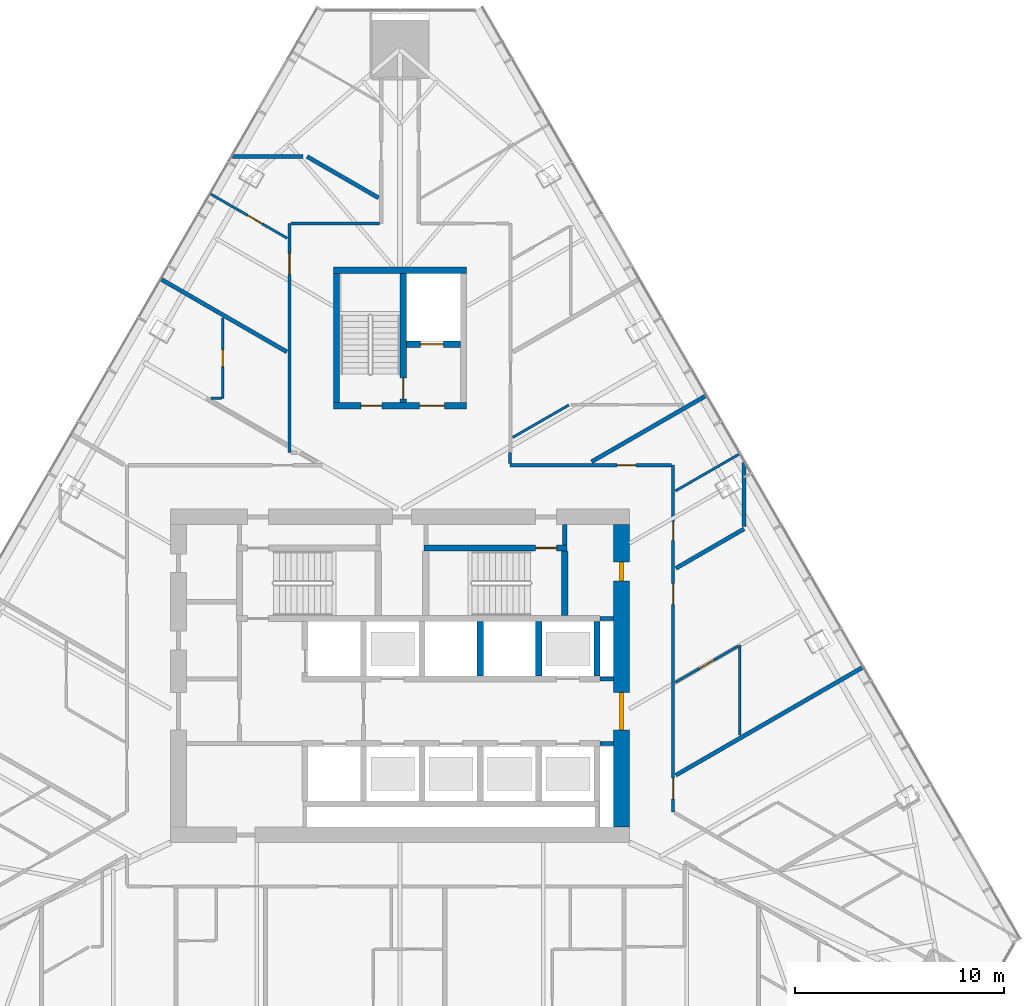
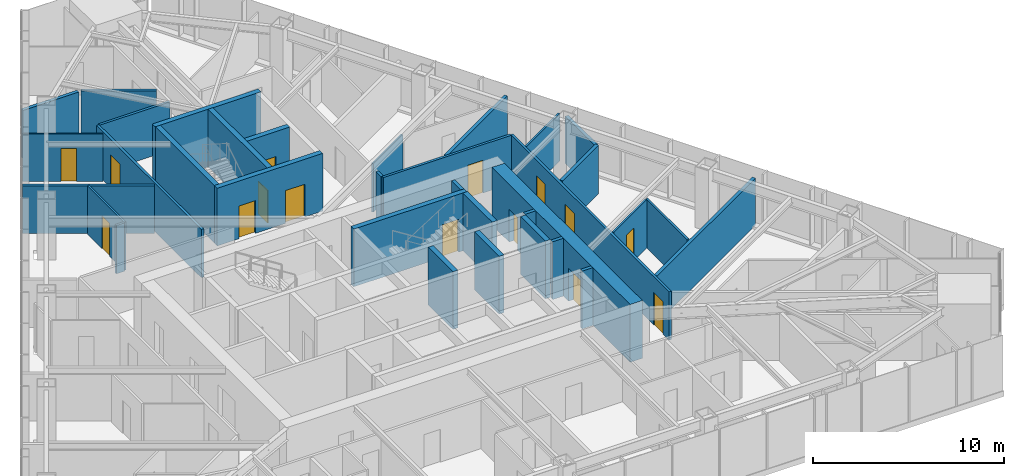
# One storey, part 13 of 16: 34 walls, 15 doors, 15 openings.
"""IFC4 building model written with IfcOpenShell, lengths in metres."""

import ifcopenshell
import ifcopenshell.guid

model = None  # the IFC model being written
_history = None  # IfcOwnerHistory: only IFC2X3 demands one
_inside = {}  # id of a spatial element -> (the spatial element, [elements in it])
_under = {}  # id of a project, library or spatial element -> (it, [spatial elements below it])
_declared = {}  # id of a project -> (the project, [libraries it declares])
_typed = {}  # id of a type object -> (the type object, [elements of that type])
_made_of = {}  # id of a material, layer set ... -> (it, [elements and type objects made of it])


def new_model(schema):
    """Start an empty IFC model of exactly this schema.

    Asked for "IFC4X3", IfcOpenShell would pick the latest addendum, in which some entities
    have other attributes; the version numbers below select the first issue.
    IFC2X3 requires an IfcOwnerHistory on every rooted entity: one is made here for all.
    """
    global model, _history
    if schema == "IFC4X3":
        model = ifcopenshell.file(schema_version=(4, 3, 0, 0))
    else:
        model = ifcopenshell.file(schema=schema)
    _inside.clear()
    _under.clear()
    _declared.clear()
    _typed.clear()
    _made_of.clear()
    _history = None
    if model.schema == "IFC2X3":
        org = make("IfcOrganization", Name="unknown")
        user = make(
            "IfcPersonAndOrganization",
            ThePerson=make("IfcPerson", FamilyName="unknown"),
            TheOrganization=org,
        )
        app = make(
            "IfcApplication",
            ApplicationDeveloper=org,
            Version="unknown",
            ApplicationFullName="unknown",
            ApplicationIdentifier="unknown",
        )
        _history = make(
            "IfcOwnerHistory",
            OwningUser=user,
            OwningApplication=app,
            ChangeAction="ADDED",
            CreationDate=0,
        )
    return model


def make(cls, **values):
    """One entity of the class cls with the attributes given. An attribute that is None is left unset."""
    return model.create_entity(
        cls, **{name: value for name, value in values.items() if value is not None}
    )


def rooted(cls, **values):
    """An entity with a GlobalId (a new one), such as an element, a storey or a relation."""
    return make(cls, GlobalId=ifcopenshell.guid.new(), OwnerHistory=_history, **values)


def si_unit(unit_type, name, prefix=None):
    """IfcSIUnit, for example si_unit("LENGTHUNIT", "METRE", prefix="MILLI")."""
    return make("IfcSIUnit", UnitType=unit_type, Prefix=prefix, Name=name)


def assignment(units):
    """IfcUnitAssignment: the units of a project."""
    return None if units is None else make("IfcUnitAssignment", Units=units)


def point(xyz):
    """IfcCartesianPoint."""
    return None if xyz is None else make("IfcCartesianPoint", Coordinates=xyz)


def direction(xyz):
    """IfcDirection."""
    return None if xyz is None else make("IfcDirection", DirectionRatios=xyz)


def frame(location, z_axis=None, x_axis=None):
    """IfcAxis2Placement3D, a coordinate frame: its origin and axes. An axis left out is left unset."""
    return make(
        "IfcAxis2Placement3D",
        Location=point(location),
        Axis=direction(z_axis),
        RefDirection=direction(x_axis),
    )


def frame_2d(location, x_axis=None):
    """IfcAxis2Placement2D, a coordinate frame in the plane: its origin and x axis."""
    return make(
        "IfcAxis2Placement2D", Location=point(location), RefDirection=direction(x_axis)
    )


def origin():
    """The frame at (0, 0, 0) with its axes left unset."""
    return frame((0.0, 0.0, 0.0))


def place(relative_to, where):
    """IfcLocalPlacement: puts the frame where relative to a parent placement (None: the world)."""
    return make(
        "IfcLocalPlacement", PlacementRelTo=relative_to, RelativePlacement=where
    )


def context(
    kind, dimensions, precision=None, world=None, true_north=None, identifier=None
):
    """IfcGeometricRepresentationContext, for example the 3D "Model" context."""
    return make(
        "IfcGeometricRepresentationContext",
        ContextIdentifier=identifier,
        ContextType=kind,
        CoordinateSpaceDimension=dimensions,
        Precision=precision,
        WorldCoordinateSystem=world,
        TrueNorth=true_north,
    )


def subcontext(parent, identifier, kind, view, scale=None):
    """IfcGeometricRepresentationSubContext, for example "Body" below "Model"."""
    return make(
        "IfcGeometricRepresentationSubContext",
        ContextIdentifier=identifier,
        ContextType=kind,
        ParentContext=parent,
        TargetScale=scale,
        TargetView=view,
    )


def project(units=None, contexts=None):
    """IfcProject with its units and contexts."""
    return rooted(
        "IfcProject",
        Name="project",
        RepresentationContexts=contexts,
        UnitsInContext=assignment(units),
    )


def spatial(cls, under=None, at=None, **own):
    """A site, building, storey or space (cls), placed at a placement, below another one or the project."""
    s = rooted(cls, ObjectPlacement=at, **own)
    if under is not None:
        _under.setdefault(under.id(), (under, []))[1].append(s)
    return s


def profile(cls, at=None, kind="AREA", **sizes):
    """A parametric profile (cls). Its sizes go by their IFC names, for example OverallWidth=200.0."""
    return make(cls, ProfileType=kind, Position=at, **sizes)


def rectangle(**sizes):
    """IfcRectangleProfileDef."""
    return profile("IfcRectangleProfileDef", **sizes)


def extrude(swept, where, along, depth):
    """IfcExtrudedAreaSolid: the profile swept, set in the frame where, extruded along a direction by depth."""
    return make(
        "IfcExtrudedAreaSolid",
        SweptArea=swept,
        Position=where,
        ExtrudedDirection=direction(along),
        Depth=depth,
    )


def shape(context_of_items, identifier, shape_type, items):
    """IfcShapeRepresentation: the items that make up one representation, for example the "Body"."""
    return make(
        "IfcShapeRepresentation",
        ContextOfItems=context_of_items,
        RepresentationIdentifier=identifier,
        RepresentationType=shape_type,
        Items=items,
    )


def material(Name=None, Category=None):
    """IfcMaterial."""
    return make("IfcMaterial", Name=Name, Category=Category)


def layer(
    of_material, thickness, ventilated=None, Name=None, Category=None, Priority=None
):
    """IfcMaterialLayer: one layer of a wall or slab, of a material (None: an air gap)."""
    return make(
        "IfcMaterialLayer",
        Material=of_material,
        LayerThickness=thickness,
        IsVentilated=ventilated,
        Name=Name,
        Category=Category,
        Priority=Priority,
    )


def layer_set(layers, Name=None):
    """IfcMaterialLayerSet."""
    return make("IfcMaterialLayerSet", MaterialLayers=layers, LayerSetName=Name)


def made_of(thing, what):
    """Note that an element or type object is made of a material, layer set ...; save() writes the relation."""
    if what is not None:
        _made_of.setdefault(what.id(), (what, []))[1].append(thing)
    return thing


def type_object(cls, material=None, **own):
    """A type object (cls), such as IfcWallType, which elements share."""
    return made_of(rooted(cls, **own), material)


def element(
    cls,
    number,
    at=None,
    inside=None,
    cuts=None,
    type_object=None,
    material=None,
    context=None,
    identifier="Body",
    shape_type=None,
    held_by="IfcProductDefinitionShape",
    body=None,
    shapes=None,
    **own,
):
    """One element of the class cls, such as IfcWall. Its Tag is "e" and its number.

    at: its placement. inside: the storey or other place that contains it. cuts: it is an
    opening in that element (IfcRelVoidsElement). A single representation is given by context,
    identifier, shape_type and body (its items); several are given by shapes. held_by: the class
    of the entity that holds the representations. save() writes the other relations.
    """
    e = rooted(cls, Tag="e%d" % number, ObjectPlacement=at, **own)
    if body is not None:
        shapes = [shape(context, identifier, shape_type, body)]
    if shapes is not None:
        e.Representation = make(held_by, Representations=shapes)
    if inside is not None:
        _inside.setdefault(inside.id(), (inside, []))[1].append(e)
    if cuts is not None:
        rooted(
            "IfcRelVoidsElement", RelatingBuildingElement=cuts, RelatedOpeningElement=e
        )
    if type_object is not None:
        _typed.setdefault(type_object.id(), (type_object, []))[1].append(e)
    return made_of(e, material)


def fill(opening, filler):
    """IfcRelFillsElement: the door or window that sits in an opening."""
    return rooted(
        "IfcRelFillsElement",
        RelatingOpeningElement=opening,
        RelatedBuildingElement=filler,
    )


def aggregate(whole, parts):
    """IfcRelAggregates: a whole, such as a stair, and the parts it consists of."""
    return rooted("IfcRelAggregates", RelatingObject=whole, RelatedObjects=parts)


def save(model, path):
    """Write the relations noted so far, then the file.

    IfcRelAggregates (storeys below a building ...), IfcRelContainedInSpatialStructure (elements
    in a storey), IfcRelDefinesByType, IfcRelAssociatesMaterial and IfcRelDeclares: one each for
    every whole, place, type object, material and project.
    """
    for whole, parts in _under.values():
        aggregate(whole, parts)
    for where, things in _inside.values():
        rooted(
            "IfcRelContainedInSpatialStructure",
            RelatedElements=things,
            RelatingStructure=where,
        )
    for kind, things in _typed.values():
        rooted("IfcRelDefinesByType", RelatedObjects=things, RelatingType=kind)
    for what, things in _made_of.values():
        rooted("IfcRelAssociatesMaterial", RelatedObjects=things, RelatingMaterial=what)
    for by, libraries in _declared.values():
        rooted("IfcRelDeclares", RelatingContext=by, RelatedDefinitions=libraries)
    model.write(path)


model = new_model("IFC4")

# Units and contexts
model_context = context("Model", 3, precision=1e-05, world=origin(), true_north=direction((0.0, 1.0)))
body_context = subcontext(model_context, "Body", "Model", "MODEL_VIEW")
ifc_project = project(units=[si_unit("LENGTHUNIT", "METRE"), si_unit("AREAUNIT", "SQUARE_METRE"), si_unit("VOLUMEUNIT", "CUBIC_METRE"), si_unit("PLANEANGLEUNIT", "RADIAN"), si_unit("MASSUNIT", "GRAM", prefix="KILO")], contexts=[model_context])

# Site, building, storey
site_placement = place(None, origin())
site = spatial("IfcSite", under=ifc_project, at=site_placement, CompositionType="ELEMENT")
building_placement = place(site_placement, origin())
building = spatial("IfcBuilding", under=site, at=building_placement, Name="Firuza Gate Tower and Library", CompositionType="ELEMENT")
storey_placement = place(building_placement, frame((0.0, 0.0, 198.699951171875)))
storey = spatial("IfcBuildingStorey", under=building, at=storey_placement, Name="L46", CompositionType="ELEMENT", Elevation=198.699951171875)

# Walls
ifc_material_1 = material(Name="Plasterboard on steel studs", Category="steel")
ifc_layer_1 = layer(ifc_material_1, 0.199951171875)
ifc_layer_set_1 = layer_set([ifc_layer_1], Name="Core partition 200 EI 120")
wall_type_1 = type_object("IfcWallType", Name="Core partition 200 EI 120", PredefinedType="PARTITIONING", material=ifc_layer_set_1)
for number, where, z_axis, x_axis, name in (
    (1, (84.60009765625, 71.75, 0.0), (0.0, 0.0, 1.0), (1.0, 0.0, 0.0), "Core partition L46 2"),
    (2, (84.60009765625, 74.85009765625, 0.0), (0.0, 0.0, 1.0), (1.0, 0.0, 0.0), "Core partition L46 4"),
    (3, (84.60009765625, 77.75, 0.0), (0.0, 0.0, 1.0), (1.0, 0.0, 0.0), "Core partition L46 5"),
):
    element("IfcWall", number, at=place(storey_placement, frame(where, z_axis=z_axis, x_axis=x_axis)), inside=storey, type_object=wall_type_1, Name=name, PredefinedType="PARTITIONING", context=body_context, shape_type="SweptSolid", body=[
        extrude(rectangle(XDim=0.64990234375, YDim=0.199951171875, at=frame_2d((0.324951171875, 0.0))), origin(), (0.0, 0.0, 1.0), 3.699951171875),
    ])
ifc_material_2 = material(Name="Plasterboard on steel studs", Category="steel")
ifc_layer_2 = layer(ifc_material_2, 0.199951171875)
ifc_layer_set_2 = layer_set([ifc_layer_2], Name="Core partition 200 EI 60")
wall_type_2 = type_object("IfcWallType", Name="Core partition 200 EI 60", PredefinedType="PARTITIONING", material=ifc_layer_set_2)
wall_1_placement = place(storey_placement, frame((82.89990234375, 81.280029296875, 0.0), z_axis=(0.0, 0.0, 1.0), x_axis=(0.0, 1.0, 0.0)))
element("IfcWall", 4, at=wall_1_placement, inside=storey, type_object=wall_type_2, Name="Core partition L46 13", PredefinedType="PARTITIONING", context=body_context, shape_type="SweptSolid", body=[
    extrude(rectangle(XDim=0.969970703125, YDim=0.199951171875, at=frame_2d((0.48486328125, 0.0))), origin(), (0.0, 0.0, 1.0), 3.699951171875),
])
ifc_material_3 = material(Name="Concrete C80/95", Category="concrete")
ifc_layer_3 = layer(ifc_material_3, 0.300048828125)
ifc_layer_set_3 = layer_set([ifc_layer_3], Name="Core wall 300 C80/95")
wall_type_3 = type_object("IfcWallType", Name="Core wall 300 C80/95", PredefinedType="SHEAR", material=ifc_layer_set_3)
for number, where, z_axis, x_axis, name in (
    (5, (78.85009765625, 75.0, 0.0), (0.0, 0.0, 1.0), (0.0, 1.0, 0.0), "Core wall L46 15"),
    (6, (81.64990234375, 75.0, 0.0), (0.0, 0.0, 1.0), (0.0, 1.0, 0.0), "Core wall L46 17"),
    (7, (84.449951171875, 75.0, 0.0), (0.0, 0.0, 1.0), (0.0, 1.0, 0.0), "Core wall L46 19"),
):
    element("IfcWall", number, at=place(storey_placement, frame(where, z_axis=z_axis, x_axis=x_axis)), inside=storey, type_object=wall_type_3, Name=name, PredefinedType="SHEAR", context=body_context, shape_type="SweptSolid", body=[
        extrude(rectangle(XDim=2.60009765625, YDim=0.300048828125, at=frame_2d((1.300048828125, 0.0))), origin(), (0.0, 0.0, 1.0), 3.699951171875),
    ])

# Wall, opening, door
wall_2_placement = place(storey_placement, frame((76.139892578125, 81.1298828125, 0.0), z_axis=(0.0, 0.0, 1.0), x_axis=(1.0, 0.0, 0.0)))
wall_2 = element("IfcWall", 8, at=wall_2_placement, inside=storey, type_object=wall_type_3, Name="Core wall L46 22", PredefinedType="SHEAR", context=body_context, shape_type="SweptSolid", body=[
    extrude(rectangle(XDim=6.860107421875, YDim=0.300048828125, at=frame_2d((3.43017578125, 0.0))), origin(), (0.0, 0.0, 1.0), 3.699951171875),
])
opening_1_placement = place(wall_2_placement, frame((5.364990234375, 0.0, 0.0)))
opening_1 = element("IfcOpeningElement", 9, at=opening_1_placement, cuts=wall_2, Name="Opening L46-K13", PredefinedType="OPENING", context=body_context, shape_type="SweptSolid", body=[
    extrude(rectangle(XDim=1.0, YDim=2.10009765625, at=frame_2d((0.5, 1.050048828125))), frame((0.0, 0.16015625, 0.0), z_axis=(0.0, -1.0, 0.0), x_axis=(1.0, 0.0, 0.0)), (0.0, 0.0, 1.0), 0.320068359375),
])
ifc_material_4 = material(Name="Steel", Category="steel")
door_type_1 = type_object("IfcDoorType", Name="Fire door 1000x2100 FD90", OperationType="NOTDEFINED", PredefinedType="DOOR", material=ifc_material_4)
door_1_placement = place(opening_1_placement, origin())
door_1 = element("IfcDoor", 10, at=door_1_placement, inside=storey, type_object=door_type_1, Name="Door L46-K13", OperationType="SINGLE_SWING_RIGHT", OverallHeight=2.10009765625, OverallWidth=1.0, PredefinedType="DOOR", context=body_context, shape_type="SweptSolid", body=[
    extrude(rectangle(XDim=1.0, YDim=2.10009765625, at=frame_2d((0.5, 1.050048828125))), frame((0.0, 0.02490234375, 0.0), z_axis=(0.0, -1.0, 0.0), x_axis=(1.0, 0.0, 0.0)), (0.0, 0.0, 1.0), 0.050048828125),
])
fill(opening_1, door_1)

# Wall
wall_3_placement = place(storey_placement, frame((82.89990234375, 77.89990234375, 0.0), z_axis=(0.0, 0.0, 1.0), x_axis=(0.0, 1.0, 0.0)))
element("IfcWall", 11, at=wall_3_placement, inside=storey, type_object=wall_type_3, Name="Core wall L46 26", PredefinedType="SHEAR", context=body_context, shape_type="SweptSolid", body=[
    extrude(rectangle(XDim=3.080078125, YDim=0.300048828125, at=frame_2d((1.5400390625, 0.0))), origin(), (0.0, 0.0, 1.0), 3.699951171875),
])

# Wall, openings, doors
wall_4_placement = place(storey_placement, frame((71.800048828125, 87.949951171875, 0.0), z_axis=(0.0, 0.0, 1.0), x_axis=(1.0, 0.0, 0.0)))
wall_4 = element("IfcWall", 12, at=wall_4_placement, inside=storey, type_object=wall_type_3, Name="Core wall L46 27", PredefinedType="SHEAR", context=body_context, shape_type="SweptSolid", body=[
    extrude(rectangle(XDim=6.39990234375, YDim=0.300048828125, at=frame_2d((3.199951171875, 0.0))), origin(), (0.0, 0.0, 1.0), 3.699951171875),
])
opening_2_placement = place(wall_4_placement, frame((1.324951171875, 0.0, 0.0)))
opening_2 = element("IfcOpeningElement", 13, at=opening_2_placement, cuts=wall_4, Name="Opening L46-K15", PredefinedType="OPENING", context=body_context, shape_type="SweptSolid", body=[
    extrude(rectangle(XDim=1.0, YDim=2.10009765625, at=frame_2d((0.5, 1.050048828125))), frame((0.0, 0.16015625, 0.0), z_axis=(0.0, -1.0, 0.0), x_axis=(1.0, 0.0, 0.0)), (0.0, 0.0, 1.0), 0.320068359375),
])
opening_3_placement = place(wall_4_placement, frame((4.125, 0.0, 0.0)))
opening_3 = element("IfcOpeningElement", 14, at=opening_3_placement, cuts=wall_4, Name="Opening L46-K17", PredefinedType="OPENING", context=body_context, shape_type="SweptSolid", body=[
    extrude(rectangle(XDim=1.199951171875, YDim=2.10009765625, at=frame_2d((0.60009765625, 1.050048828125))), frame((0.0, 0.16015625, 0.0), z_axis=(0.0, -1.0, 0.0), x_axis=(1.0, 0.0, 0.0)), (0.0, 0.0, 1.0), 0.320068359375),
])
door_2_placement = place(opening_2_placement, origin())
door_2 = element("IfcDoor", 15, at=door_2_placement, inside=storey, type_object=door_type_1, Name="Door L46-K15", OperationType="SINGLE_SWING_RIGHT", OverallHeight=2.10009765625, OverallWidth=1.0, PredefinedType="DOOR", context=body_context, shape_type="SweptSolid", body=[
    extrude(rectangle(XDim=1.0, YDim=2.10009765625, at=frame_2d((0.5, 1.050048828125))), frame((0.0, 0.02490234375, 0.0), z_axis=(0.0, -1.0, 0.0), x_axis=(1.0, 0.0, 0.0)), (0.0, 0.0, 1.0), 0.050048828125),
])
fill(opening_2, door_2)
ifc_material_5 = material(Name="Steel", Category="steel")
door_type_2 = type_object("IfcDoorType", Name="Fire door 1200x2100 FD30S", OperationType="NOTDEFINED", PredefinedType="DOOR", material=ifc_material_5)
door_3_placement = place(opening_3_placement, origin())
door_3 = element("IfcDoor", 16, at=door_3_placement, inside=storey, type_object=door_type_2, Name="Door L46-K17", OperationType="SINGLE_SWING_RIGHT", OverallHeight=2.10009765625, OverallWidth=1.199951171875, PredefinedType="DOOR", context=body_context, shape_type="SweptSolid", body=[
    extrude(rectangle(XDim=1.199951171875, YDim=2.10009765625, at=frame_2d((0.60009765625, 1.050048828125))), frame((0.0, 0.02490234375, 0.0), z_axis=(0.0, -1.0, 0.0), x_axis=(1.0, 0.0, 0.0)), (0.0, 0.0, 1.0), 0.050048828125),
])
fill(opening_3, door_3)

# Walls
wall_5_placement = place(storey_placement, frame((71.800048828125, 94.449951171875, 0.0), z_axis=(0.0, 0.0, 1.0), x_axis=(1.0, 0.0, 0.0)))
element("IfcWall", 17, at=wall_5_placement, inside=storey, type_object=wall_type_3, Name="Core wall L46 28", PredefinedType="SHEAR", context=body_context, shape_type="SweptSolid", body=[
    extrude(rectangle(XDim=6.39990234375, YDim=0.300048828125, at=frame_2d((3.199951171875, 0.0))), origin(), (0.0, 0.0, 1.0), 3.699951171875),
])
wall_6_placement = place(storey_placement, frame((71.949951171875, 88.10009765625, 0.0), z_axis=(0.0, 0.0, 1.0), x_axis=(0.0, 1.0, 0.0)))
element("IfcWall", 18, at=wall_6_placement, inside=storey, type_object=wall_type_3, Name="Core wall L46 29", PredefinedType="SHEAR", context=body_context, shape_type="SweptSolid", body=[
    extrude(rectangle(XDim=6.199951171875, YDim=0.300048828125, at=frame_2d((3.10009765625, 0.0))), origin(), (0.0, 0.0, 1.0), 3.699951171875),
])

# Wall, opening, door
wall_7_placement = place(storey_placement, frame((75.300048828125, 90.89990234375, 0.0), z_axis=(0.0, 0.0, 1.0), x_axis=(1.0, 0.0, 0.0)))
wall_7 = element("IfcWall", 19, at=wall_7_placement, inside=storey, type_object=wall_type_3, Name="Core wall L46 31", PredefinedType="SHEAR", context=body_context, shape_type="SweptSolid", body=[
    extrude(rectangle(XDim=2.599853515625, YDim=0.300048828125, at=frame_2d((1.2998046875, 0.0))), origin(), (0.0, 0.0, 1.0), 3.699951171875),
])
opening_4_placement = place(wall_7_placement, frame((0.675048828125, 0.0, 0.0)))
opening_4 = element("IfcOpeningElement", 20, at=opening_4_placement, cuts=wall_7, Name="Opening LD-SV1-L46", PredefinedType="OPENING", context=body_context, shape_type="SweptSolid", body=[
    extrude(rectangle(XDim=1.10009765625, YDim=2.10009765625, at=frame_2d((0.550048828125, 1.050048828125))), frame((0.0, 0.16015625, 0.0), z_axis=(0.0, -1.0, 0.0), x_axis=(1.0, 0.0, 0.0)), (0.0, 0.0, 1.0), 0.320068359375),
])
ifc_material_6 = material(Name="Stainless steel", Category="steel")
door_type_3 = type_object("IfcDoorType", Name="Lift landing door 1100x2100", OperationType="DOUBLE_DOOR_SLIDING", PredefinedType="DOOR", material=ifc_material_6)
door_4_placement = place(opening_4_placement, origin())
door_4 = element("IfcDoor", 21, at=door_4_placement, inside=storey, type_object=door_type_3, Name="Landing door SV1 L46", OperationType="DOUBLE_DOOR_SLIDING", OverallHeight=2.10009765625, OverallWidth=1.10009765625, PredefinedType="DOOR", context=body_context, shape_type="SweptSolid", body=[
    extrude(rectangle(XDim=1.10009765625, YDim=2.10009765625, at=frame_2d((0.550048828125, 1.050048828125))), frame((0.0, 0.02490234375, 0.0), z_axis=(0.0, -1.0, 0.0), x_axis=(1.0, 0.0, 0.0)), (0.0, 0.0, 1.0), 0.050048828125),
])
fill(opening_4, door_4)

wall_8_placement = place(storey_placement, frame((75.14990234375, 88.10009765625, 0.0), z_axis=(0.0, 0.0, 1.0), x_axis=(0.0, 1.0, 0.0)))
wall_8 = element("IfcWall", 22, at=wall_8_placement, inside=storey, type_object=wall_type_3, Name="Core wall L46 32", PredefinedType="SHEAR", context=body_context, shape_type="SweptSolid", body=[
    extrude(rectangle(XDim=6.199951171875, YDim=0.300048828125, at=frame_2d((3.10009765625, 0.0))), origin(), (0.0, 0.0, 1.0), 3.699951171875),
])
opening_5_placement = place(wall_8_placement, frame((0.18505859375, 0.0, 0.0)))
opening_5 = element("IfcOpeningElement", 23, at=opening_5_placement, cuts=wall_8, Name="Opening L46-K16", PredefinedType="OPENING", context=body_context, shape_type="SweptSolid", body=[
    extrude(rectangle(XDim=1.0, YDim=2.10009765625, at=frame_2d((0.5, 1.050048828125))), frame((0.0, 0.16015625, 0.0), z_axis=(0.0, -1.0, 0.0), x_axis=(1.0, 0.0, 0.0)), (0.0, 0.0, 1.0), 0.320068359375),
])
door_5_placement = place(opening_5_placement, origin())
door_5 = element("IfcDoor", 24, at=door_5_placement, inside=storey, type_object=door_type_1, Name="Door L46-K16", OperationType="SINGLE_SWING_LEFT", OverallHeight=2.10009765625, OverallWidth=1.0, PredefinedType="DOOR", context=body_context, shape_type="SweptSolid", body=[
    extrude(rectangle(XDim=1.0, YDim=2.10009765625, at=frame_2d((0.5, 1.050048828125))), frame((0.0, 0.02490234375, 0.0), z_axis=(0.0, -1.0, 0.0), x_axis=(1.0, 0.0, 0.0)), (0.0, 0.0, 1.0), 0.050048828125),
])
fill(opening_5, door_5)

# Wall, openings, doors
ifc_material_7 = material(Name="Concrete C80/95", Category="concrete")
ifc_layer_4 = layer(ifc_material_7, 0.75)
ifc_layer_set_4 = layer_set([ifc_layer_4], Name="Core wall 750 C80/95")
wall_type_4 = type_object("IfcWallType", Name="Core wall 750 C80/95", PredefinedType="SHEAR", material=ifc_layer_set_4)
wall_9_placement = place(storey_placement, frame((85.625, 67.75, 0.0), z_axis=(0.0, 0.0, 1.0), x_axis=(0.0, 1.0, 0.0)))
wall_9 = element("IfcWall", 25, at=wall_9_placement, inside=storey, type_object=wall_type_4, Name="Core wall L46 4", PredefinedType="SHEAR", context=body_context, shape_type="SweptSolid", body=[
    extrude(rectangle(XDim=14.5, YDim=0.75, at=frame_2d((7.25, 0.0))), origin(), (0.0, 0.0, 1.0), 3.699951171875),
])
opening_6_placement = place(wall_9_placement, frame((4.64990234375, 0.0, 0.0)))
opening_6 = element("IfcOpeningElement", 26, at=opening_6_placement, cuts=wall_9, Name="Opening L46-K21", PredefinedType="OPENING", context=body_context, shape_type="SweptSolid", body=[
    extrude(rectangle(XDim=1.800048828125, YDim=2.10009765625, at=frame_2d((0.89990234375, 1.050048828125))), frame((0.0, 0.385009765625, 0.0), z_axis=(0.0, -1.0, 0.0), x_axis=(1.0, 0.0, 0.0)), (0.0, 0.0, 1.0), 0.77001953125),
])
opening_7_placement = place(wall_9_placement, frame((11.800048828125, 0.0, 0.0)))
opening_7 = element("IfcOpeningElement", 27, at=opening_7_placement, cuts=wall_9, Name="Opening L46-K26", PredefinedType="OPENING", context=body_context, shape_type="SweptSolid", body=[
    extrude(rectangle(XDim=0.89990234375, YDim=2.10009765625, at=frame_2d((0.449951171875, 1.050048828125))), frame((0.0, 0.385009765625, 0.0), z_axis=(0.0, -1.0, 0.0), x_axis=(1.0, 0.0, 0.0)), (0.0, 0.0, 1.0), 0.77001953125),
])
ifc_material_8 = material(Name="Steel", Category="steel")
door_type_4 = type_object("IfcDoorType", Name="Fire door 1800x2100 FD30S", OperationType="NOTDEFINED", PredefinedType="DOOR", material=ifc_material_8)
door_6_placement = place(opening_6_placement, origin())
door_6 = element("IfcDoor", 28, at=door_6_placement, inside=storey, type_object=door_type_4, Name="Door L46-K21", OperationType="SINGLE_SWING_RIGHT", OverallHeight=2.10009765625, OverallWidth=1.800048828125, PredefinedType="DOOR", context=body_context, shape_type="SweptSolid", body=[
    extrude(rectangle(XDim=1.800048828125, YDim=2.10009765625, at=frame_2d((0.89990234375, 1.050048828125))), frame((0.0, 0.094970703125, 0.0), z_axis=(0.0, -1.0, 0.0), x_axis=(1.0, 0.0, 0.0)), (0.0, 0.0, 1.0), 0.18994140625),
])
fill(opening_6, door_6)
ifc_material_9 = material(Name="Steel", Category="steel")
door_type_5 = type_object("IfcDoorType", Name="Fire door 900x2100 FD30S", OperationType="NOTDEFINED", PredefinedType="DOOR", material=ifc_material_9)
door_7_placement = place(opening_7_placement, origin())
door_7 = element("IfcDoor", 29, at=door_7_placement, inside=storey, type_object=door_type_5, Name="Door L46-K26", OperationType="SINGLE_SWING_LEFT", OverallHeight=2.10009765625, OverallWidth=0.89990234375, PredefinedType="DOOR", context=body_context, shape_type="SweptSolid", body=[
    extrude(rectangle(XDim=0.89990234375, YDim=2.10009765625, at=frame_2d((0.449951171875, 1.050048828125))), frame((0.0, 0.094970703125, 0.0), z_axis=(0.0, -1.0, 0.0), x_axis=(1.0, 0.0, 0.0)), (0.0, 0.0, 1.0), 0.18994140625),
])
fill(opening_7, door_7)

# Wall, opening, door
ifc_material_10 = material(Name="Gypsum board partition")
ifc_layer_5 = layer(ifc_material_10, 0.14990234375)
ifc_layer_set_5 = layer_set([ifc_layer_5], Name="Corridor wall 150 double board on steel studs")
wall_type_5 = type_object("IfcWallType", Name="Corridor wall 150 double board on steel studs", PredefinedType="PARTITIONING", material=ifc_layer_set_5)
wall_10_placement = place(storey_placement, frame((80.280517578125, 85.10009765625, 0.0), z_axis=(0.0, 0.0, 1.0), x_axis=(1.0, 0.0, 0.0)))
wall_10 = element("IfcWall", 30, at=wall_10_placement, inside=storey, type_object=wall_type_5, Name="f:L46:w010", PredefinedType="PARTITIONING", context=body_context, shape_type="SweptSolid", body=[
    extrude(rectangle(XDim=7.744384765625, YDim=0.14990234375, at=frame_2d((3.8720703125, 0.0))), origin(), (0.0, 0.0, 1.0), 3.10009765625),
])
opening_8_placement = place(wall_10_placement, frame((5.13037109375, 0.0, 0.0)))
opening_8 = element("IfcOpeningElement", 31, at=opening_8_placement, cuts=wall_10, Name="Opening L46-10", PredefinedType="OPENING", context=body_context, shape_type="SweptSolid", body=[
    extrude(rectangle(XDim=0.89990234375, YDim=2.10009765625, at=frame_2d((0.449951171875, 1.050048828125))), frame((0.0, 0.0849609375, 0.0), z_axis=(0.0, -1.0, 0.0), x_axis=(1.0, 0.0, 0.0)), (0.0, 0.0, 1.0), 0.169921875),
])
ifc_material_11 = material(Name="Steel door and timber leaf", Category="steel")
door_type_6 = type_object("IfcDoorType", Name="Fire door 900 x 2100 steel frame, timber leaf", OperationType="NOTDEFINED", PredefinedType="DOOR", material=ifc_material_11)
door_8_placement = place(opening_8_placement, origin())
door_8 = element("IfcDoor", 32, at=door_8_placement, inside=storey, type_object=door_type_6, Name="f:L46:d010", OperationType="SINGLE_SWING_RIGHT", OverallHeight=2.10009765625, OverallWidth=0.89990234375, PredefinedType="DOOR", context=body_context, shape_type="SweptSolid", body=[
    extrude(rectangle(XDim=0.89990234375, YDim=2.10009765625, at=frame_2d((0.449951171875, 1.050048828125))), frame((0.0, 0.02490234375, 0.0), z_axis=(0.0, -1.0, 0.0), x_axis=(1.0, 0.0, 0.0)), (0.0, 0.0, 1.0), 0.050048828125),
])
fill(opening_8, door_8)

# Wall
wall_11_placement = place(storey_placement, frame((69.775390625, 96.699951171875, 0.0), z_axis=(0.0, 0.0, 1.0), x_axis=(1.0, 0.0, 0.0)))
element("IfcWall", 33, at=wall_11_placement, inside=storey, type_object=wall_type_5, Name="f:L46:w014", PredefinedType="PARTITIONING", context=body_context, shape_type="SweptSolid", body=[
    extrude(rectangle(XDim=4.24951171875, YDim=0.14990234375, at=frame_2d((2.124755859375, 0.0))), origin(), (0.0, 0.0, 1.0), 3.10009765625),
])

# Wall, openings, doors
wall_12_placement = place(storey_placement, frame((88.10009765625, 85.10009765625, 0.0), z_axis=(0.0, 0.0, 1.0), x_axis=(0.0, -1.0, 0.0)))
wall_12 = element("IfcWall", 34, at=wall_12_placement, inside=storey, type_object=wall_type_5, Name="f:L46:w045", PredefinedType="PARTITIONING", context=body_context, shape_type="SweptSolid", body=[
    extrude(rectangle(XDim=16.6240234375, YDim=0.14990234375, at=frame_2d((8.31201171875, 0.0))), origin(), (0.0, 0.0, 1.0), 3.10009765625),
])
opening_9_placement = place(wall_12_placement, frame((2.706787109375, 0.0, 0.0)))
opening_9 = element("IfcOpeningElement", 35, at=opening_9_placement, cuts=wall_12, Name="Opening L46-23", PredefinedType="OPENING", context=body_context, shape_type="SweptSolid", body=[
    extrude(rectangle(XDim=0.89990234375, YDim=2.10009765625, at=frame_2d((0.449951171875, 1.050048828125))), frame((0.0, 0.0849609375, 0.0), z_axis=(0.0, -1.0, 0.0), x_axis=(1.0, 0.0, 0.0)), (0.0, 0.0, 1.0), 0.169921875),
])
opening_10_placement = place(wall_12_placement, frame((5.68359375, 0.0, 0.0)))
opening_10 = element("IfcOpeningElement", 36, at=opening_10_placement, cuts=wall_12, Name="Opening L46-24", PredefinedType="OPENING", context=body_context, shape_type="SweptSolid", body=[
    extrude(rectangle(XDim=1.0, YDim=2.10009765625, at=frame_2d((0.5, 1.050048828125))), frame((0.0, 0.0849609375, 0.0), z_axis=(0.0, -1.0, 0.0), x_axis=(1.0, 0.0, 0.0)), (0.0, 0.0, 1.0), 0.169921875),
])
opening_11_placement = place(wall_12_placement, frame((15.01025390625, 0.0, 0.0)))
opening_11 = element("IfcOpeningElement", 37, at=opening_11_placement, cuts=wall_12, Name="Opening L46-25", PredefinedType="OPENING", context=body_context, shape_type="SweptSolid", body=[
    extrude(rectangle(XDim=1.0, YDim=2.10009765625, at=frame_2d((0.5, 1.050048828125))), frame((0.0, 0.0849609375, 0.0), z_axis=(0.0, -1.0, 0.0), x_axis=(1.0, 0.0, 0.0)), (0.0, 0.0, 1.0), 0.169921875),
])
ifc_material_12 = material(Name="Steel door and timber leaf", Category="steel")
door_type_7 = type_object("IfcDoorType", Name="Fire door 1000 x 2100 steel frame, timber leaf", OperationType="NOTDEFINED", PredefinedType="DOOR", material=ifc_material_12)
door_9_placement = place(opening_10_placement, origin())
door_9 = element("IfcDoor", 38, at=door_9_placement, inside=storey, type_object=door_type_7, Name="f:L46:d024", OperationType="SINGLE_SWING_RIGHT", OverallHeight=2.10009765625, OverallWidth=1.0, PredefinedType="DOOR", context=body_context, shape_type="SweptSolid", body=[
    extrude(rectangle(XDim=1.0, YDim=2.10009765625, at=frame_2d((0.5, 1.050048828125))), frame((0.0, 0.02490234375, 0.0), z_axis=(0.0, -1.0, 0.0), x_axis=(1.0, 0.0, 0.0)), (0.0, 0.0, 1.0), 0.050048828125),
])
fill(opening_10, door_9)
door_10_placement = place(opening_11_placement, origin())
door_10 = element("IfcDoor", 39, at=door_10_placement, inside=storey, type_object=door_type_7, Name="f:L46:d025", OperationType="SINGLE_SWING_RIGHT", OverallHeight=2.10009765625, OverallWidth=1.0, PredefinedType="DOOR", context=body_context, shape_type="SweptSolid", body=[
    extrude(rectangle(XDim=1.0, YDim=2.10009765625, at=frame_2d((0.5, 1.050048828125))), frame((0.0, 0.02490234375, 0.0), z_axis=(0.0, -1.0, 0.0), x_axis=(1.0, 0.0, 0.0)), (0.0, 0.0, 1.0), 0.050048828125),
])
fill(opening_11, door_10)
door_11_placement = place(opening_9_placement, origin())
door_11 = element("IfcDoor", 40, at=door_11_placement, inside=storey, type_object=door_type_6, Name="f:L46:d023", OperationType="SINGLE_SWING_RIGHT", OverallHeight=2.10009765625, OverallWidth=0.89990234375, PredefinedType="DOOR", context=body_context, shape_type="SweptSolid", body=[
    extrude(rectangle(XDim=0.89990234375, YDim=2.10009765625, at=frame_2d((0.449951171875, 1.050048828125))), frame((0.0, 0.02490234375, 0.0), z_axis=(0.0, -1.0, 0.0), x_axis=(1.0, 0.0, 0.0)), (0.0, 0.0, 1.0), 0.050048828125),
])
fill(opening_9, door_11)

# Wall
wall_13_placement = place(storey_placement, frame((80.281005859375, 85.175048828125, 0.0), z_axis=(0.0, 0.0, 1.0), x_axis=(0.0, 1.0, 0.0)))
element("IfcWall", 41, at=wall_13_placement, inside=storey, type_object=wall_type_5, Name="f:L46:w051", PredefinedType="PARTITIONING", context=body_context, shape_type="SweptSolid", body=[
    extrude(rectangle(XDim=0.52490234375, YDim=0.14990234375, at=frame_2d((0.262451171875, 0.0))), origin(), (0.0, 0.0, 1.0), 3.10009765625),
])

# Wall, opening, door
wall_14_placement = place(storey_placement, frame((69.699951171875, 85.700439453125, 0.0), z_axis=(0.0, 0.0, 1.0), x_axis=(0.0, 1.0, 0.0)))
wall_14 = element("IfcWall", 42, at=wall_14_placement, inside=storey, type_object=wall_type_5, Name="f:L46:w058", PredefinedType="PARTITIONING", context=body_context, shape_type="SweptSolid", body=[
    extrude(rectangle(XDim=10.9990234375, YDim=0.14990234375, at=frame_2d((5.49951171875, 0.0))), origin(), (0.0, 0.0, 1.0), 3.09716796875),
])
opening_12_placement = place(wall_14_placement, frame((8.554931640625, 0.0, 0.0)))
opening_12 = element("IfcOpeningElement", 43, at=opening_12_placement, cuts=wall_14, Name="Opening L46-31", PredefinedType="OPENING", context=body_context, shape_type="SweptSolid", body=[
    extrude(rectangle(XDim=1.0, YDim=2.10009765625, at=frame_2d((0.5, 1.050048828125))), frame((0.0, 0.0849609375, 0.0), z_axis=(0.0, -1.0, 0.0), x_axis=(1.0, 0.0, 0.0)), (0.0, 0.0, 1.0), 0.169921875),
])
door_12_placement = place(opening_12_placement, origin())
door_12 = element("IfcDoor", 44, at=door_12_placement, inside=storey, type_object=door_type_7, Name="f:L46:d031", OperationType="SINGLE_SWING_RIGHT", OverallHeight=2.10009765625, OverallWidth=1.0, PredefinedType="DOOR", context=body_context, shape_type="SweptSolid", body=[
    extrude(rectangle(XDim=1.0, YDim=2.10009765625, at=frame_2d((0.5, 1.050048828125))), frame((0.0, 0.02490234375, 0.0), z_axis=(0.0, -1.0, 0.0), x_axis=(1.0, 0.0, 0.0)), (0.0, 0.0, 1.0), 0.050048828125),
])
fill(opening_12, door_12)

# Walls
ifc_material_13 = material(Name="Gypsum board partition")
ifc_layer_6 = layer(ifc_material_13, 0.199951171875)
ifc_layer_set_6 = layer_set([ifc_layer_6], Name="Demising wall 200 acoustic double stud")
wall_type_6 = type_object("IfcWallType", Name="Demising wall 200 acoustic double stud", PredefinedType="PARTITIONING", material=ifc_layer_set_6)
wall_15_placement = place(storey_placement, frame((66.972900390625, 99.89990234375, 0.0), z_axis=(0.0, 0.0, 1.0), x_axis=(1.0, 0.0, 0.0)))
element("IfcWall", 45, at=wall_15_placement, inside=storey, type_object=wall_type_6, Name="f:L46:w016", PredefinedType="PARTITIONING", context=body_context, shape_type="SweptSolid", body=[
    extrude(rectangle(XDim=3.370849609375, YDim=0.199951171875, at=frame_2d((1.685546875, 0.0))), origin(), (0.0, 0.0, 1.0), 3.10009765625),
])
wall_16_placement = place(storey_placement, frame((88.226806640625, 70.23291015625, 0.0), z_axis=(0.0, 0.0, 1.0), x_axis=(0.866025410072, 0.499999989109, 0.0)))
element("IfcWall", 46, at=wall_16_placement, inside=storey, type_object=wall_type_6, Name="f:L46:w022", PredefinedType="PARTITIONING", context=body_context, shape_type="SweptSolid", body=[
    extrude(rectangle(XDim=10.33056640625, YDim=0.199951171875, at=frame_2d((5.165283203125, 0.0))), origin(), (0.0, 0.0, 1.0), 3.02197265625),
])
wall_17_placement = place(storey_placement, frame((88.227294921875, 80.1552734375, 0.0), z_axis=(0.0, 0.0, 1.0), x_axis=(0.86599624775, 0.500050496333, 0.0)))
element("IfcWall", 47, at=wall_17_placement, inside=storey, type_object=wall_type_6, Name="f:L46:w026", PredefinedType="PARTITIONING", context=body_context, shape_type="SweptSolid", body=[
    extrude(rectangle(XDim=3.779296875, YDim=0.199951171875, at=frame_2d((1.8896484375, 0.0))), origin(), (0.0, 0.0, 1.0), 3.10009765625),
])
wall_18_placement = place(storey_placement, frame((84.185546875, 85.26513671875, 0.0), z_axis=(0.0, 0.0, 1.0), x_axis=(0.86601688729, 0.500014750711, 0.0)))
element("IfcWall", 48, at=wall_18_placement, inside=storey, type_object=wall_type_6, Name="f:L46:w032", PredefinedType="PARTITIONING", context=body_context, shape_type="SweptSolid", body=[
    extrude(rectangle(XDim=6.314208984375, YDim=0.199951171875, at=frame_2d((3.1572265625, 0.0))), origin(), (0.0, 0.0, 1.0), 3.02197265625),
])
wall_19_placement = place(storey_placement, frame((91.5, 82.160888671875, 0.0), z_axis=(0.0, 0.0, 1.0), x_axis=(0.0, 1.0, 0.0)))
element("IfcWall", 49, at=wall_19_placement, inside=storey, type_object=wall_type_6, Name="f:L46:w042", PredefinedType="PARTITIONING", context=body_context, shape_type="SweptSolid", body=[
    extrude(rectangle(XDim=3.063720703125, YDim=0.199951171875, at=frame_2d((1.53173828125, 0.0))), origin(), (0.0, 0.0, 1.0), 3.02197265625),
])
wall_20_placement = place(storey_placement, frame((73.97314453125, 97.920166015625, 0.0), z_axis=(0.0, 0.0, 1.0), x_axis=(-0.866011036969, 0.500024883228, 0.0)))
element("IfcWall", 50, at=wall_20_placement, inside=storey, type_object=wall_type_6, Name="f:L46:w076", PredefinedType="PARTITIONING", context=body_context, shape_type="SweptSolid", body=[
    extrude(rectangle(XDim=3.959716796875, YDim=0.199951171875, at=frame_2d((1.97998046875, 0.0))), origin(), (0.0, 0.0, 1.0), 3.10009765625),
])
wall_21_placement = place(storey_placement, frame((69.572998046875, 90.537109375, 0.0), z_axis=(0.0, 0.0, 1.0), x_axis=(-0.866030778866, 0.49999068997, 0.0)))
element("IfcWall", 51, at=wall_21_placement, inside=storey, type_object=wall_type_6, Name="f:L46:w078", PredefinedType="PARTITIONING", context=body_context, shape_type="SweptSolid", body=[
    extrude(rectangle(XDim=6.933349609375, YDim=0.199951171875, at=frame_2d((3.466796875, 0.0))), origin(), (0.0, 0.0, 1.0), 3.02197265625),
])
ifc_material_14 = material(Name="Gypsum board partition")
ifc_layer_7 = layer(ifc_material_14, 0.1201171875)
ifc_layer_set_7 = layer_set([ifc_layer_7], Name="Wet-area partition 120 moisture-resistant board")
wall_type_7 = type_object("IfcWallType", Name="Wet-area partition 120 moisture-resistant board", PredefinedType="PARTITIONING", material=ifc_layer_set_7)
wall_22_placement = place(storey_placement, frame((65.943603515625, 88.300048828125, 0.0), z_axis=(0.0, 0.0, 1.0), x_axis=(1.0, 0.0, 0.0)))
element("IfcWall", 52, at=wall_22_placement, inside=storey, type_object=wall_type_7, Name="f:L46:w013", PredefinedType="PARTITIONING", context=body_context, shape_type="SweptSolid", body=[
    extrude(rectangle(XDim=0.496337890625, YDim=0.1201171875, at=frame_2d((0.248046875, 0.0))), origin(), (0.0, 0.0, 1.0), 3.09716796875),
])

# Wall, opening, door
wall_23_placement = place(storey_placement, frame((91.205322265625, 76.417724609375, 0.0), z_axis=(0.0, 0.0, 1.0), x_axis=(-0.865997524453, -0.50004828531, 0.0)))
wall_23 = element("IfcWall", 53, at=wall_23_placement, inside=storey, type_object=wall_type_7, Name="f:L46:w023", PredefinedType="PARTITIONING", context=body_context, shape_type="SweptSolid", body=[
    extrude(rectangle(XDim=3.459228515625, YDim=0.1201171875, at=frame_2d((1.7294921875, 0.0))), origin(), (0.0, 0.0, 1.0), 3.10009765625),
])
opening_13_placement = place(wall_23_placement, frame((1.32958984375, 0.0, 0.0)))
opening_13 = element("IfcOpeningElement", 54, at=opening_13_placement, cuts=wall_23, Name="Opening L46-14", PredefinedType="OPENING", context=body_context, shape_type="SweptSolid", body=[
    extrude(rectangle(XDim=0.800048828125, YDim=2.10009765625, at=frame_2d((0.39990234375, 1.050048828125))), frame((0.0, 0.070068359375, 0.0), z_axis=(0.0, -1.0, 0.0), x_axis=(1.0, 0.0, 0.0)), (0.0, 0.0, 1.0), 0.14013671875),
])
ifc_material_15 = material(Name="Timber door", Category="wood")
door_type_8 = type_object("IfcDoorType", Name="Door 800 x 2100 timber leaf", OperationType="NOTDEFINED", PredefinedType="DOOR", material=ifc_material_15)
door_13_placement = place(opening_13_placement, origin())
door_13 = element("IfcDoor", 55, at=door_13_placement, inside=storey, type_object=door_type_8, Name="f:L46:d014", OperationType="SINGLE_SWING_LEFT", OverallHeight=2.10009765625, OverallWidth=0.800048828125, PredefinedType="DOOR", context=body_context, shape_type="SweptSolid", body=[
    extrude(rectangle(XDim=0.800048828125, YDim=2.10009765625, at=frame_2d((0.39990234375, 1.050048828125))), frame((0.0, 0.02490234375, 0.0), z_axis=(0.0, -1.0, 0.0), x_axis=(1.0, 0.0, 0.0)), (0.0, 0.0, 1.0), 0.050048828125),
])
fill(opening_13, door_13)

# Walls
wall_24_placement = place(storey_placement, frame((88.209716796875, 83.866943359375, 0.0), z_axis=(0.0, 0.0, 1.0), x_axis=(0.866028878405, 0.499993981732, 0.0)))
element("IfcWall", 56, at=wall_24_placement, inside=storey, type_object=wall_type_7, Name="f:L46:w030", PredefinedType="PARTITIONING", context=body_context, shape_type="SweptSolid", body=[
    extrude(rectangle(XDim=3.5283203125, YDim=0.1201171875, at=frame_2d((1.76416015625, 0.0))), origin(), (0.0, 0.0, 1.0), 3.02197265625),
])
wall_25_placement = place(storey_placement, frame((80.40966796875, 86.433837890625, 0.0), z_axis=(0.0, 0.0, 1.0), x_axis=(0.866030936828, 0.499990416364, 0.0)))
element("IfcWall", 57, at=wall_25_placement, inside=storey, type_object=wall_type_7, Name="f:L46:w033", PredefinedType="PARTITIONING", context=body_context, shape_type="SweptSolid", body=[
    extrude(rectangle(XDim=3.10205078125, YDim=0.1201171875, at=frame_2d((1.551025390625, 0.0))), origin(), (0.0, 0.0, 1.0), 3.10009765625),
])
wall_26_placement = place(storey_placement, frame((91.300048828125, 72.162353515625, 0.0), z_axis=(0.0, 0.0, 1.0), x_axis=(0.0, 1.0, 0.0)))
element("IfcWall", 58, at=wall_26_placement, inside=storey, type_object=wall_type_7, Name="f:L46:w043", PredefinedType="PARTITIONING", context=body_context, shape_type="SweptSolid", body=[
    extrude(rectangle(XDim=4.309814453125, YDim=0.1201171875, at=frame_2d((2.15478515625, 0.0))), origin(), (0.0, 0.0, 1.0), 3.10009765625),
])

# Wall, opening, door
wall_27_placement = place(storey_placement, frame((66.5, 92.156005859375, 0.0), z_axis=(0.0, 0.0, 1.0), x_axis=(0.0, -1.0, 0.0)))
wall_27 = element("IfcWall", 59, at=wall_27_placement, inside=storey, type_object=wall_type_7, Name="f:L46:w060", PredefinedType="PARTITIONING", context=body_context, shape_type="SweptSolid", body=[
    extrude(rectangle(XDim=3.85595703125, YDim=0.1201171875, at=frame_2d((1.927978515625, 0.0))), origin(), (0.0, 0.0, 1.0), 3.10009765625),
])
opening_14_placement = place(wall_27_placement, frame((1.528076171875, 0.0, 0.0)))
opening_14 = element("IfcOpeningElement", 60, at=opening_14_placement, cuts=wall_27, Name="Opening L46-32", PredefinedType="OPENING", context=body_context, shape_type="SweptSolid", body=[
    extrude(rectangle(XDim=0.800048828125, YDim=2.10009765625, at=frame_2d((0.39990234375, 1.050048828125))), frame((0.0, 0.070068359375, 0.0), z_axis=(0.0, -1.0, 0.0), x_axis=(1.0, 0.0, 0.0)), (0.0, 0.0, 1.0), 0.14013671875),
])
door_14_placement = place(opening_14_placement, origin())
door_14 = element("IfcDoor", 61, at=door_14_placement, inside=storey, type_object=door_type_8, Name="f:L46:d032", OperationType="SINGLE_SWING_RIGHT", OverallHeight=2.10009765625, OverallWidth=0.800048828125, PredefinedType="DOOR", context=body_context, shape_type="SweptSolid", body=[
    extrude(rectangle(XDim=0.800048828125, YDim=2.10009765625, at=frame_2d((0.39990234375, 1.050048828125))), frame((0.0, 0.02490234375, 0.0), z_axis=(0.0, -1.0, 0.0), x_axis=(1.0, 0.0, 0.0)), (0.0, 0.0, 1.0), 0.050048828125),
])
fill(opening_14, door_14)

wall_28_placement = place(storey_placement, frame((65.93212890625, 98.097412109375, 0.0), z_axis=(0.0, 0.0, 1.0), x_axis=(0.866040263112, -0.499974262007, 0.0)))
wall_28 = element("IfcWall", 62, at=wall_28_placement, inside=storey, type_object=wall_type_7, Name="f:L46:w077", PredefinedType="PARTITIONING", context=body_context, shape_type="SweptSolid", body=[
    extrude(rectangle(XDim=4.224365234375, YDim=0.1201171875, at=frame_2d((2.1123046875, 0.0))), origin(), (0.0, 0.0, 1.0), 3.02197265625),
])
opening_15_placement = place(wall_28_placement, frame((2.042236328125, 0.0, 0.0)))
opening_15 = element("IfcOpeningElement", 63, at=opening_15_placement, cuts=wall_28, Name="Opening L46-38", PredefinedType="OPENING", context=body_context, shape_type="SweptSolid", body=[
    extrude(rectangle(XDim=0.800048828125, YDim=2.10009765625, at=frame_2d((0.39990234375, 1.050048828125))), frame((0.0, 0.070068359375, 0.0), z_axis=(0.0, -1.0, 0.0), x_axis=(1.0, 0.0, 0.0)), (0.0, 0.0, 1.0), 0.14013671875),
])
door_15_placement = place(opening_15_placement, origin())
door_15 = element("IfcDoor", 64, at=door_15_placement, inside=storey, type_object=door_type_8, Name="f:L46:d038", OperationType="SINGLE_SWING_RIGHT", OverallHeight=2.10009765625, OverallWidth=0.800048828125, PredefinedType="DOOR", context=body_context, shape_type="SweptSolid", body=[
    extrude(rectangle(XDim=0.800048828125, YDim=2.10009765625, at=frame_2d((0.39990234375, 1.050048828125))), frame((0.0, 0.02490234375, 0.0), z_axis=(0.0, -1.0, 0.0), x_axis=(1.0, 0.0, 0.0)), (0.0, 0.0, 1.0), 0.050048828125),
])
fill(opening_15, door_15)

save(model, "model.ifc")
